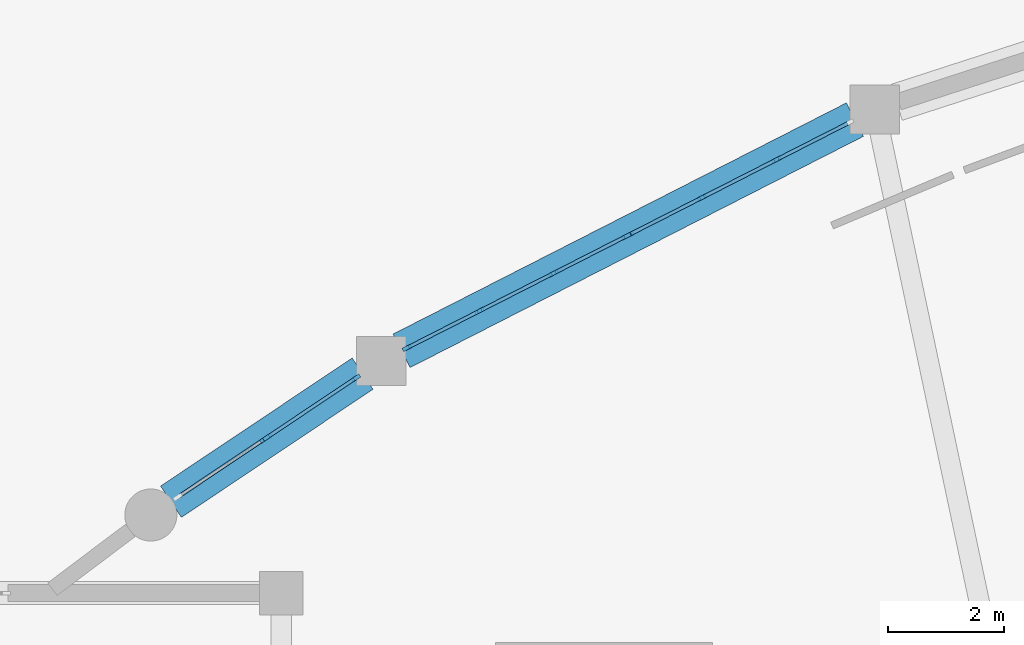
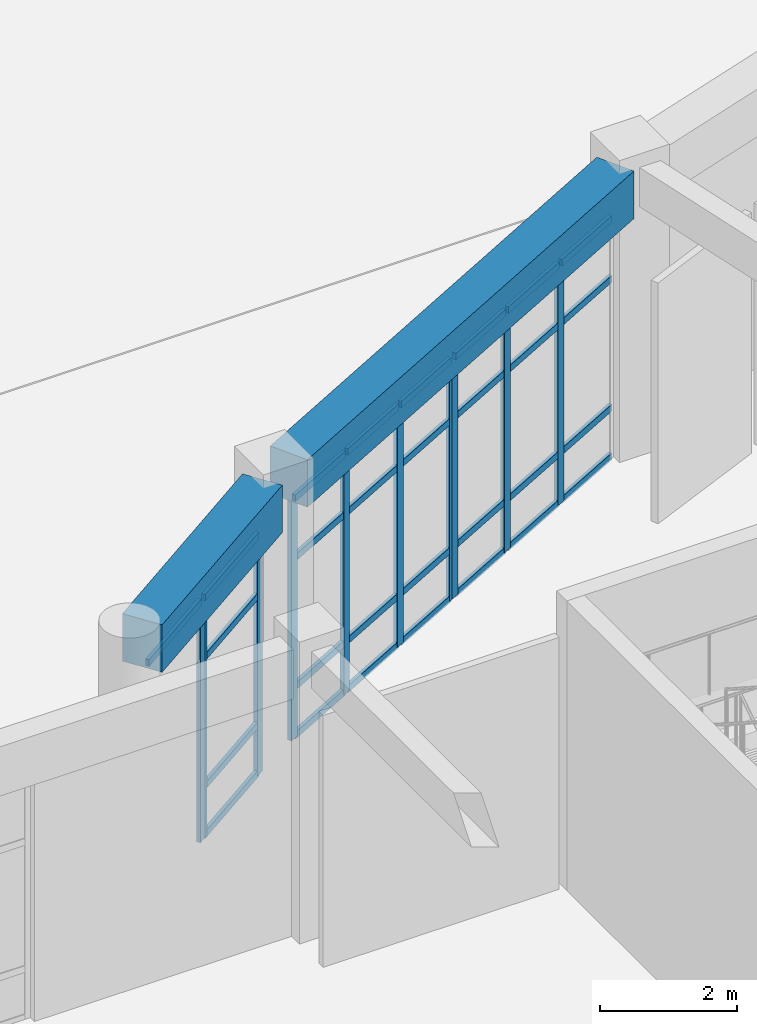
# One storey, part 12 of 70: 39 members, 2 beams, 4 elements without a shape of their own.
"""IFC4 building model written with IfcOpenShell, lengths in metres."""

from ifc_helpers import new_model, si_unit, direction, frame, origin, origin_2d, place, context, subcontext, project, spatial, rectangle, extrude, material, layer, layer_set, material_profile, profile_set, type_object, element, aggregate, save


model = new_model("IFC4")

# Units and contexts
model_context = context("Model", 3, precision=1e-05, world=origin(), true_north=direction((0.0, 1.0)))
body_context = subcontext(model_context, "Body", "Model", "MODEL_VIEW")
ifc_project = project(units=[si_unit("LENGTHUNIT", "METRE"), si_unit("AREAUNIT", "SQUARE_METRE"), si_unit("VOLUMEUNIT", "CUBIC_METRE"), si_unit("PLANEANGLEUNIT", "RADIAN"), si_unit("MASSUNIT", "GRAM", prefix="KILO")], contexts=[model_context])

# Site, building, storey
site_placement = place(None, origin())
site = spatial("IfcSite", under=ifc_project, at=site_placement, CompositionType="ELEMENT")
building_placement = place(site_placement, origin())
building = spatial("IfcBuilding", under=site, at=building_placement, Name="Miralva Faculty of Natural Sciences", CompositionType="ELEMENT")
storey_placement = place(building_placement, origin())
storey = spatial("IfcBuildingStorey", under=building, at=storey_placement, Name="L00", CompositionType="ELEMENT", Elevation=0.0)

# Beams
ifc_material_1 = material(Name="Concrete C40/50", Category="concrete")
ifc_material_profile_1 = material_profile(ifc_material_1, rectangle(XDim=0.64990234375, YDim=0.85009765625, at=origin_2d()), Name="RC 650x850")
ifc_profile_set_1 = profile_set([ifc_material_profile_1], Name="Concrete C40/50")
beam_type = type_object("IfcBeamType", Name="BM-SP03", PredefinedType="SPANDREL", material=ifc_profile_set_1)
beam_1_placement = place(storey_placement, frame((66.311767578125, 35.182373046875, 4.735107421875), z_axis=(-0.890845120113, -0.454307133965, 0.0), x_axis=(0.454307133965, -0.890845120113, 0.0)))
element("IfcBeam", 1, at=beam_1_placement, inside=storey, type_object=beam_type, Name="Curved chord girder SHOUT L00-8", PredefinedType="SPANDREL", context=body_context, shape_type="SweptSolid", body=[
    extrude(rectangle(XDim=0.64990234375, YDim=0.85009765625, at=origin_2d()), origin(), (0.0, 0.0, 1.0), 8.793212890625),
])
beam_2_placement = place(storey_placement, frame((57.804931640625, 30.792724609375, 4.735107421875), z_axis=(-0.831417795146, -0.555647775047, 0.0), x_axis=(0.555647775047, -0.831417795146, 0.0)))
element("IfcBeam", 2, at=beam_2_placement, inside=storey, type_object=beam_type, Name="Curved chord girder SHOUT L00-9", PredefinedType="SPANDREL", context=body_context, shape_type="SweptSolid", body=[
    extrude(rectangle(XDim=0.64990234375, YDim=0.85009765625, at=origin_2d()), origin(), (0.0, 0.0, 1.0), 3.982177734375),
])

# Curtain wall, member
ifc_material_2 = material(Name="Laminated solar-control glass", Category="glass")
ifc_layer = layer(ifc_material_2, 0.179931640625, Name="CW-ARC-L00")
ifc_layer_set = layer_set([ifc_layer], Name="Laminated solar-control glass")
curtain_wall_type = type_object("IfcCurtainWallType", Name="CW-ARC-L00", PredefinedType="USERDEFINED", material=ifc_layer_set)
curtain_wall_1_placement = place(storey_placement, origin())
curtain_wall_1 = element("IfcCurtainWall", 3, at=curtain_wall_1_placement, inside=storey, type_object=curtain_wall_type, Name="Curtain wall CW-01 L00-1", ObjectType="UNITISED CURTAIN WALL", PredefinedType="USERDEFINED")
ifc_material_3 = material(Name="Anodised aluminium", Category="aluminium")
ifc_material_profile_2 = material_profile(ifc_material_3, rectangle(XDim=0.06494140625, YDim=0.159912109375, at=origin_2d()), Name="MULLION 65x160")
ifc_profile_set_2 = profile_set([ifc_material_profile_2], Name="Anodised aluminium")
member_type_1 = type_object("IfcMemberType", Name="CW-M02", PredefinedType="MULLION", material=ifc_profile_set_2)
member_1_placement = place(storey_placement, frame((56.109375, 29.662353515625, 0.0), z_axis=(0.0, 0.0, 1.0), x_axis=(-0.555563826036, 0.831473893276, 0.0)))
member_1 = element("IfcMember", 4, at=member_1_placement, type_object=member_type_1, Name="CW-01 mullion 2", PredefinedType="MULLION", context=body_context, shape_type="SweptSolid", body=[
    extrude(rectangle(XDim=0.06494140625, YDim=0.159912109375, at=origin_2d()), origin(), (0.0, 0.0, 1.0), 4.304931640625),
])

# Curtain wall, members
curtain_wall_2_placement = place(storey_placement, origin())
curtain_wall_2 = element("IfcCurtainWall", 5, at=curtain_wall_2_placement, inside=storey, type_object=curtain_wall_type, Name="Curtain wall CW-01 L00-2", ObjectType="UNITISED CURTAIN WALL", PredefinedType="USERDEFINED")
member_2_placement = place(storey_placement, frame((56.1591796875, 29.69580078125, 0.0), z_axis=(0.0, 0.0, 1.0), x_axis=(-0.555560018644, 0.831476437239, 0.0)))
member_2 = element("IfcMember", 6, at=member_2_placement, type_object=member_type_1, Name="CW-01 mullion 1", PredefinedType="MULLION", context=body_context, shape_type="SweptSolid", body=[
    extrude(rectangle(XDim=0.06494140625, YDim=0.159912109375, at=origin_2d()), origin(), (0.0, 0.0, 1.0), 4.304931640625),
])
member_3_placement = place(storey_placement, frame((57.68896484375, 30.718017578125, 0.0), z_axis=(0.0, 0.0, 1.0), x_axis=(-0.555560018644, 0.831476437239, 0.0)))
member_3 = element("IfcMember", 7, at=member_3_placement, type_object=member_type_1, Name="CW-01 mullion 2", PredefinedType="MULLION", context=body_context, shape_type="SweptSolid", body=[
    extrude(rectangle(XDim=0.06494140625, YDim=0.159912109375, at=origin_2d()), origin(), (0.0, 0.0, 1.0), 4.304931640625),
])

curtain_wall_3_placement = place(storey_placement, origin())
curtain_wall_3 = element("IfcCurtainWall", 8, at=curtain_wall_3_placement, inside=storey, type_object=curtain_wall_type, Name="Curtain wall CW-01 L00-3", ObjectType="UNITISED CURTAIN WALL", PredefinedType="USERDEFINED")
member_4_placement = place(storey_placement, frame((58.57080078125, 31.237060546875, 0.0), z_axis=(0.0, 0.0, 1.0), x_axis=(-0.453995464015, 0.891003994746, 0.0)))
member_4 = element("IfcMember", 9, at=member_4_placement, type_object=member_type_1, Name="CW-01 mullion 1", PredefinedType="MULLION", context=body_context, shape_type="SweptSolid", body=[
    extrude(rectangle(XDim=0.06494140625, YDim=0.159912109375, at=origin_2d()), origin(), (0.0, 0.0, 1.0), 4.304931640625),
])
member_5_placement = place(storey_placement, frame((59.8251953125, 31.876220703125, 0.0), z_axis=(0.0, 0.0, 1.0), x_axis=(-0.453995464015, 0.891003994746, 0.0)))
member_5 = element("IfcMember", 10, at=member_5_placement, type_object=member_type_1, Name="CW-01 mullion 2", PredefinedType="MULLION", context=body_context, shape_type="SweptSolid", body=[
    extrude(rectangle(XDim=0.06494140625, YDim=0.159912109375, at=origin_2d()), origin(), (0.0, 0.0, 1.0), 4.304931640625),
])
member_6_placement = place(storey_placement, frame((61.108642578125, 32.530029296875, 0.0), z_axis=(0.0, 0.0, 1.0), x_axis=(-0.453995464015, 0.891003994746, 0.0)))
member_6 = element("IfcMember", 11, at=member_6_placement, type_object=member_type_1, Name="CW-01 mullion 3", PredefinedType="MULLION", context=body_context, shape_type="SweptSolid", body=[
    extrude(rectangle(XDim=0.06494140625, YDim=0.159912109375, at=origin_2d()), origin(), (0.0, 0.0, 1.0), 4.304931640625),
])
member_7_placement = place(storey_placement, frame((62.363037109375, 33.169189453125, 0.0), z_axis=(0.0, 0.0, 1.0), x_axis=(-0.453995464015, 0.891003994746, 0.0)))
member_7 = element("IfcMember", 12, at=member_7_placement, type_object=member_type_1, Name="CW-01 mullion 4", PredefinedType="MULLION", context=body_context, shape_type="SweptSolid", body=[
    extrude(rectangle(XDim=0.06494140625, YDim=0.159912109375, at=origin_2d()), origin(), (0.0, 0.0, 1.0), 4.304931640625),
])

curtain_wall_4_placement = place(storey_placement, origin())
curtain_wall_4 = element("IfcCurtainWall", 13, at=curtain_wall_4_placement, inside=storey, type_object=curtain_wall_type, Name="Curtain wall CW-01 L00-4", ObjectType="UNITISED CURTAIN WALL", PredefinedType="USERDEFINED")
member_8_placement = place(storey_placement, frame((62.416259765625, 33.1962890625, 0.0), z_axis=(0.0, 0.0, 1.0), x_axis=(-0.453969065637, 0.891017445084, 0.0)))
member_8 = element("IfcMember", 14, at=member_8_placement, type_object=member_type_1, Name="CW-01 mullion 1", PredefinedType="MULLION", context=body_context, shape_type="SweptSolid", body=[
    extrude(rectangle(XDim=0.06494140625, YDim=0.159912109375, at=origin_2d()), origin(), (0.0, 0.0, 1.0), 4.304931640625),
])
member_9_placement = place(storey_placement, frame((63.67236328125, 33.836181640625, 0.0), z_axis=(0.0, 0.0, 1.0), x_axis=(-0.453969065637, 0.891017445084, 0.0)))
member_9 = element("IfcMember", 15, at=member_9_placement, type_object=member_type_1, Name="CW-01 mullion 2", PredefinedType="MULLION", context=body_context, shape_type="SweptSolid", body=[
    extrude(rectangle(XDim=0.06494140625, YDim=0.159912109375, at=origin_2d()), origin(), (0.0, 0.0, 1.0), 4.304931640625),
])
member_10_placement = place(storey_placement, frame((64.95703125, 34.490966796875, 0.0), z_axis=(0.0, 0.0, 1.0), x_axis=(-0.453969065637, 0.891017445084, 0.0)))
member_10 = element("IfcMember", 16, at=member_10_placement, type_object=member_type_1, Name="CW-01 mullion 3", PredefinedType="MULLION", context=body_context, shape_type="SweptSolid", body=[
    extrude(rectangle(XDim=0.06494140625, YDim=0.159912109375, at=origin_2d()), origin(), (0.0, 0.0, 1.0), 4.304931640625),
])

# Member
ifc_material_profile_3 = material_profile(ifc_material_3, rectangle(XDim=0.06005859375, YDim=0.1201171875, at=origin_2d()), Name="TRANSOM 60x120")
ifc_profile_set_3 = profile_set([ifc_material_profile_3], Name="Anodised aluminium")
member_type_2 = type_object("IfcMemberType", Name="CW-T02", PredefinedType="USERDEFINED", material=ifc_profile_set_3)
member_11_placement = place(storey_placement, frame((54.6357421875, 28.677734375, 4.27490234375), z_axis=(0.8314669175, 0.555574266056, 0.0), x_axis=(-0.555574266056, 0.8314669175, 0.0)))
member_11 = element("IfcMember", 17, at=member_11_placement, type_object=member_type_2, Name="CW-01 transom 1.4", ObjectType="TRANSOM", PredefinedType="USERDEFINED", context=body_context, shape_type="SweptSolid", body=[
    extrude(rectangle(XDim=0.06005859375, YDim=0.1201171875, at=origin_2d()), origin(), (0.0, 0.0, 1.0), 1.73974609375),
])

aggregate(curtain_wall_1, [member_1, member_11])

member_12_placement = place(storey_placement, frame((56.18603515625, 29.7138671875, 0.030029296875), z_axis=(0.83147849915, 0.555556932683, 0.0), x_axis=(-0.555556932683, 0.83147849915, 0.0)))
member_12 = element("IfcMember", 18, at=member_12_placement, type_object=member_type_2, Name="CW-01 transom 1.1", ObjectType="TRANSOM", PredefinedType="USERDEFINED", context=body_context, shape_type="SweptSolid", body=[
    extrude(rectangle(XDim=0.06005859375, YDim=0.1201171875, at=origin_2d()), origin(), (0.0, 0.0, 1.0), 1.77490234375),
])

member_13_placement = place(storey_placement, frame((56.18603515625, 29.7138671875, 0.89990234375), z_axis=(0.83147849915, 0.555556932683, 0.0), x_axis=(-0.555556932683, 0.83147849915, 0.0)))
member_13 = element("IfcMember", 19, at=member_13_placement, type_object=member_type_2, Name="CW-01 transom 1.2", ObjectType="TRANSOM", PredefinedType="USERDEFINED", context=body_context, shape_type="SweptSolid", body=[
    extrude(rectangle(XDim=0.06005859375, YDim=0.1201171875, at=origin_2d()), origin(), (0.0, 0.0, 1.0), 1.77490234375),
])

member_14_placement = place(storey_placement, frame((56.18603515625, 29.7138671875, 3.205078125), z_axis=(0.83147849915, 0.555556932683, 0.0), x_axis=(-0.555556932683, 0.83147849915, 0.0)))
member_14 = element("IfcMember", 20, at=member_14_placement, type_object=member_type_2, Name="CW-01 transom 1.3", ObjectType="TRANSOM", PredefinedType="USERDEFINED", context=body_context, shape_type="SweptSolid", body=[
    extrude(rectangle(XDim=0.06005859375, YDim=0.1201171875, at=origin_2d()), origin(), (0.0, 0.0, 1.0), 1.77490234375),
])

member_15_placement = place(storey_placement, frame((56.18603515625, 29.7138671875, 4.27490234375), z_axis=(0.83147849915, 0.555556932683, 0.0), x_axis=(-0.555556932683, 0.83147849915, 0.0)))
member_15 = element("IfcMember", 21, at=member_15_placement, type_object=member_type_2, Name="CW-01 transom 1.4", ObjectType="TRANSOM", PredefinedType="USERDEFINED", context=body_context, shape_type="SweptSolid", body=[
    extrude(rectangle(XDim=0.06005859375, YDim=0.1201171875, at=origin_2d()), origin(), (0.0, 0.0, 1.0), 1.77490234375),
])

aggregate(curtain_wall_2, [member_2, member_3, member_12, member_13, member_14, member_15])

member_16_placement = place(storey_placement, frame((58.599853515625, 31.251708984375, 0.030029296875), z_axis=(0.891020072129, 0.453963909428, 0.0), x_axis=(-0.453963909428, 0.891020072129, 0.0)))
member_16 = element("IfcMember", 22, at=member_16_placement, type_object=member_type_2, Name="CW-01 transom 1.1", ObjectType="TRANSOM", PredefinedType="USERDEFINED", context=body_context, shape_type="SweptSolid", body=[
    extrude(rectangle(XDim=0.06005859375, YDim=0.1201171875, at=origin_2d()), origin(), (0.0, 0.0, 1.0), 1.3427734375),
])

member_17_placement = place(storey_placement, frame((58.599853515625, 31.251708984375, 0.89990234375), z_axis=(0.891020072129, 0.453963909428, 0.0), x_axis=(-0.453963909428, 0.891020072129, 0.0)))
member_17 = element("IfcMember", 23, at=member_17_placement, type_object=member_type_2, Name="CW-01 transom 1.2", ObjectType="TRANSOM", PredefinedType="USERDEFINED", context=body_context, shape_type="SweptSolid", body=[
    extrude(rectangle(XDim=0.06005859375, YDim=0.1201171875, at=origin_2d()), origin(), (0.0, 0.0, 1.0), 1.3427734375),
])

member_18_placement = place(storey_placement, frame((58.599853515625, 31.251708984375, 3.205078125), z_axis=(0.891020072129, 0.453963909428, 0.0), x_axis=(-0.453963909428, 0.891020072129, 0.0)))
member_18 = element("IfcMember", 24, at=member_18_placement, type_object=member_type_2, Name="CW-01 transom 1.3", ObjectType="TRANSOM", PredefinedType="USERDEFINED", context=body_context, shape_type="SweptSolid", body=[
    extrude(rectangle(XDim=0.06005859375, YDim=0.1201171875, at=origin_2d()), origin(), (0.0, 0.0, 1.0), 1.3427734375),
])

member_19_placement = place(storey_placement, frame((58.599853515625, 31.251708984375, 4.27490234375), z_axis=(0.891020072129, 0.453963909428, 0.0), x_axis=(-0.453963909428, 0.891020072129, 0.0)))
member_19 = element("IfcMember", 25, at=member_19_placement, type_object=member_type_2, Name="CW-01 transom 1.4", ObjectType="TRANSOM", PredefinedType="USERDEFINED", context=body_context, shape_type="SweptSolid", body=[
    extrude(rectangle(XDim=0.06005859375, YDim=0.1201171875, at=origin_2d()), origin(), (0.0, 0.0, 1.0), 1.3427734375),
])

member_20_placement = place(storey_placement, frame((59.854248046875, 31.890869140625, 0.030029296875), z_axis=(0.891028658075, 0.453947056923, 0.0), x_axis=(-0.453947056923, 0.891028658075, 0.0)))
member_20 = element("IfcMember", 26, at=member_20_placement, type_object=member_type_2, Name="CW-01 transom 2.1", ObjectType="TRANSOM", PredefinedType="USERDEFINED", context=body_context, shape_type="SweptSolid", body=[
    extrude(rectangle(XDim=0.06005859375, YDim=0.1201171875, at=origin_2d()), origin(), (0.0, 0.0, 1.0), 1.375244140625),
])

member_21_placement = place(storey_placement, frame((59.854248046875, 31.890869140625, 0.89990234375), z_axis=(0.891028658075, 0.453947056923, 0.0), x_axis=(-0.453947056923, 0.891028658075, 0.0)))
member_21 = element("IfcMember", 27, at=member_21_placement, type_object=member_type_2, Name="CW-01 transom 2.2", ObjectType="TRANSOM", PredefinedType="USERDEFINED", context=body_context, shape_type="SweptSolid", body=[
    extrude(rectangle(XDim=0.06005859375, YDim=0.1201171875, at=origin_2d()), origin(), (0.0, 0.0, 1.0), 1.375244140625),
])

member_22_placement = place(storey_placement, frame((59.854248046875, 31.890869140625, 3.205078125), z_axis=(0.891028658075, 0.453947056923, 0.0), x_axis=(-0.453947056923, 0.891028658075, 0.0)))
member_22 = element("IfcMember", 28, at=member_22_placement, type_object=member_type_2, Name="CW-01 transom 2.3", ObjectType="TRANSOM", PredefinedType="USERDEFINED", context=body_context, shape_type="SweptSolid", body=[
    extrude(rectangle(XDim=0.06005859375, YDim=0.1201171875, at=origin_2d()), origin(), (0.0, 0.0, 1.0), 1.375244140625),
])

member_23_placement = place(storey_placement, frame((59.854248046875, 31.890869140625, 4.27490234375), z_axis=(0.891028658075, 0.453947056923, 0.0), x_axis=(-0.453947056923, 0.891028658075, 0.0)))
member_23 = element("IfcMember", 29, at=member_23_placement, type_object=member_type_2, Name="CW-01 transom 2.4", ObjectType="TRANSOM", PredefinedType="USERDEFINED", context=body_context, shape_type="SweptSolid", body=[
    extrude(rectangle(XDim=0.06005859375, YDim=0.1201171875, at=origin_2d()), origin(), (0.0, 0.0, 1.0), 1.375244140625),
])

member_24_placement = place(storey_placement, frame((61.137451171875, 32.544677734375, 0.030029296875), z_axis=(0.891020072129, 0.453963909428, 0.0), x_axis=(-0.453963909428, 0.891020072129, 0.0)))
member_24 = element("IfcMember", 30, at=member_24_placement, type_object=member_type_2, Name="CW-01 transom 3.1", ObjectType="TRANSOM", PredefinedType="USERDEFINED", context=body_context, shape_type="SweptSolid", body=[
    extrude(rectangle(XDim=0.06005859375, YDim=0.1201171875, at=origin_2d()), origin(), (0.0, 0.0, 1.0), 1.3427734375),
])

member_25_placement = place(storey_placement, frame((61.137451171875, 32.544677734375, 0.89990234375), z_axis=(0.891020072129, 0.453963909428, 0.0), x_axis=(-0.453963909428, 0.891020072129, 0.0)))
member_25 = element("IfcMember", 31, at=member_25_placement, type_object=member_type_2, Name="CW-01 transom 3.2", ObjectType="TRANSOM", PredefinedType="USERDEFINED", context=body_context, shape_type="SweptSolid", body=[
    extrude(rectangle(XDim=0.06005859375, YDim=0.1201171875, at=origin_2d()), origin(), (0.0, 0.0, 1.0), 1.3427734375),
])

member_26_placement = place(storey_placement, frame((61.137451171875, 32.544677734375, 3.205078125), z_axis=(0.891020072129, 0.453963909428, 0.0), x_axis=(-0.453963909428, 0.891020072129, 0.0)))
member_26 = element("IfcMember", 32, at=member_26_placement, type_object=member_type_2, Name="CW-01 transom 3.3", ObjectType="TRANSOM", PredefinedType="USERDEFINED", context=body_context, shape_type="SweptSolid", body=[
    extrude(rectangle(XDim=0.06005859375, YDim=0.1201171875, at=origin_2d()), origin(), (0.0, 0.0, 1.0), 1.3427734375),
])

member_27_placement = place(storey_placement, frame((61.137451171875, 32.544677734375, 4.27490234375), z_axis=(0.891020072129, 0.453963909428, 0.0), x_axis=(-0.453963909428, 0.891020072129, 0.0)))
member_27 = element("IfcMember", 33, at=member_27_placement, type_object=member_type_2, Name="CW-01 transom 3.4", ObjectType="TRANSOM", PredefinedType="USERDEFINED", context=body_context, shape_type="SweptSolid", body=[
    extrude(rectangle(XDim=0.06005859375, YDim=0.1201171875, at=origin_2d()), origin(), (0.0, 0.0, 1.0), 1.3427734375),
])

aggregate(curtain_wall_3, [member_4, member_5, member_6, member_7, member_16, member_17, member_18, member_19, member_20, member_21, member_22, member_23, member_24, member_25, member_26, member_27])

member_28_placement = place(storey_placement, frame((62.4453125, 33.211181640625, 0.030029296875), z_axis=(0.891024253299, 0.45395570272, 0.0), x_axis=(-0.45395570272, 0.891024253299, 0.0)))
member_28 = element("IfcMember", 34, at=member_28_placement, type_object=member_type_2, Name="CW-01 transom 1.1", ObjectType="TRANSOM", PredefinedType="USERDEFINED", context=body_context, shape_type="SweptSolid", body=[
    extrude(rectangle(XDim=0.06005859375, YDim=0.1201171875, at=origin_2d()), origin(), (0.0, 0.0, 1.0), 1.344482421875),
])

member_29_placement = place(storey_placement, frame((62.4453125, 33.211181640625, 0.89990234375), z_axis=(0.891024253299, 0.45395570272, 0.0), x_axis=(-0.45395570272, 0.891024253299, 0.0)))
member_29 = element("IfcMember", 35, at=member_29_placement, type_object=member_type_2, Name="CW-01 transom 1.2", ObjectType="TRANSOM", PredefinedType="USERDEFINED", context=body_context, shape_type="SweptSolid", body=[
    extrude(rectangle(XDim=0.06005859375, YDim=0.1201171875, at=origin_2d()), origin(), (0.0, 0.0, 1.0), 1.344482421875),
])

member_30_placement = place(storey_placement, frame((62.4453125, 33.211181640625, 3.205078125), z_axis=(0.891024253299, 0.45395570272, 0.0), x_axis=(-0.45395570272, 0.891024253299, 0.0)))
member_30 = element("IfcMember", 36, at=member_30_placement, type_object=member_type_2, Name="CW-01 transom 1.3", ObjectType="TRANSOM", PredefinedType="USERDEFINED", context=body_context, shape_type="SweptSolid", body=[
    extrude(rectangle(XDim=0.06005859375, YDim=0.1201171875, at=origin_2d()), origin(), (0.0, 0.0, 1.0), 1.344482421875),
])

member_31_placement = place(storey_placement, frame((62.4453125, 33.211181640625, 4.27490234375), z_axis=(0.891024253299, 0.45395570272, 0.0), x_axis=(-0.45395570272, 0.891024253299, 0.0)))
member_31 = element("IfcMember", 37, at=member_31_placement, type_object=member_type_2, Name="CW-01 transom 1.4", ObjectType="TRANSOM", PredefinedType="USERDEFINED", context=body_context, shape_type="SweptSolid", body=[
    extrude(rectangle(XDim=0.06005859375, YDim=0.1201171875, at=origin_2d()), origin(), (0.0, 0.0, 1.0), 1.344482421875),
])

member_32_placement = place(storey_placement, frame((63.701171875, 33.85107421875, 0.030029296875), z_axis=(0.891069260746, 0.453867351275, 0.0), x_axis=(-0.453867351275, 0.891069260746, 0.0)))
member_32 = element("IfcMember", 38, at=member_32_placement, type_object=member_type_2, Name="CW-01 transom 2.1", ObjectType="TRANSOM", PredefinedType="USERDEFINED", context=body_context, shape_type="SweptSolid", body=[
    extrude(rectangle(XDim=0.06005859375, YDim=0.1201171875, at=origin_2d()), origin(), (0.0, 0.0, 1.0), 1.376953125),
])

member_33_placement = place(storey_placement, frame((63.701171875, 33.85107421875, 0.89990234375), z_axis=(0.891069260746, 0.453867351275, 0.0), x_axis=(-0.453867351275, 0.891069260746, 0.0)))
member_33 = element("IfcMember", 39, at=member_33_placement, type_object=member_type_2, Name="CW-01 transom 2.2", ObjectType="TRANSOM", PredefinedType="USERDEFINED", context=body_context, shape_type="SweptSolid", body=[
    extrude(rectangle(XDim=0.06005859375, YDim=0.1201171875, at=origin_2d()), origin(), (0.0, 0.0, 1.0), 1.376953125),
])

member_34_placement = place(storey_placement, frame((63.701171875, 33.85107421875, 3.205078125), z_axis=(0.891069260746, 0.453867351275, 0.0), x_axis=(-0.453867351275, 0.891069260746, 0.0)))
member_34 = element("IfcMember", 40, at=member_34_placement, type_object=member_type_2, Name="CW-01 transom 2.3", ObjectType="TRANSOM", PredefinedType="USERDEFINED", context=body_context, shape_type="SweptSolid", body=[
    extrude(rectangle(XDim=0.06005859375, YDim=0.1201171875, at=origin_2d()), origin(), (0.0, 0.0, 1.0), 1.376953125),
])

member_35_placement = place(storey_placement, frame((63.701171875, 33.85107421875, 4.27490234375), z_axis=(0.891069260746, 0.453867351275, 0.0), x_axis=(-0.453867351275, 0.891069260746, 0.0)))
member_35 = element("IfcMember", 41, at=member_35_placement, type_object=member_type_2, Name="CW-01 transom 2.4", ObjectType="TRANSOM", PredefinedType="USERDEFINED", context=body_context, shape_type="SweptSolid", body=[
    extrude(rectangle(XDim=0.06005859375, YDim=0.1201171875, at=origin_2d()), origin(), (0.0, 0.0, 1.0), 1.376953125),
])

member_36_placement = place(storey_placement, frame((64.986083984375, 34.505615234375, 0.030029296875), z_axis=(0.891024253299, 0.45395570272, 0.0), x_axis=(-0.45395570272, 0.891024253299, 0.0)))
member_36 = element("IfcMember", 42, at=member_36_placement, type_object=member_type_2, Name="CW-01 transom 3.1", ObjectType="TRANSOM", PredefinedType="USERDEFINED", context=body_context, shape_type="SweptSolid", body=[
    extrude(rectangle(XDim=0.06005859375, YDim=0.1201171875, at=origin_2d()), origin(), (0.0, 0.0, 1.0), 1.344482421875),
])

member_37_placement = place(storey_placement, frame((64.986083984375, 34.505615234375, 0.89990234375), z_axis=(0.891024253299, 0.45395570272, 0.0), x_axis=(-0.45395570272, 0.891024253299, 0.0)))
member_37 = element("IfcMember", 43, at=member_37_placement, type_object=member_type_2, Name="CW-01 transom 3.2", ObjectType="TRANSOM", PredefinedType="USERDEFINED", context=body_context, shape_type="SweptSolid", body=[
    extrude(rectangle(XDim=0.06005859375, YDim=0.1201171875, at=origin_2d()), origin(), (0.0, 0.0, 1.0), 1.344482421875),
])

member_38_placement = place(storey_placement, frame((64.986083984375, 34.505615234375, 3.205078125), z_axis=(0.891024253299, 0.45395570272, 0.0), x_axis=(-0.45395570272, 0.891024253299, 0.0)))
member_38 = element("IfcMember", 44, at=member_38_placement, type_object=member_type_2, Name="CW-01 transom 3.3", ObjectType="TRANSOM", PredefinedType="USERDEFINED", context=body_context, shape_type="SweptSolid", body=[
    extrude(rectangle(XDim=0.06005859375, YDim=0.1201171875, at=origin_2d()), origin(), (0.0, 0.0, 1.0), 1.344482421875),
])

member_39_placement = place(storey_placement, frame((64.986083984375, 34.505615234375, 4.27490234375), z_axis=(0.891024253299, 0.45395570272, 0.0), x_axis=(-0.45395570272, 0.891024253299, 0.0)))
member_39 = element("IfcMember", 45, at=member_39_placement, type_object=member_type_2, Name="CW-01 transom 3.4", ObjectType="TRANSOM", PredefinedType="USERDEFINED", context=body_context, shape_type="SweptSolid", body=[
    extrude(rectangle(XDim=0.06005859375, YDim=0.1201171875, at=origin_2d()), origin(), (0.0, 0.0, 1.0), 1.344482421875),
])

aggregate(curtain_wall_4, [member_8, member_9, member_10, member_28, member_29, member_30, member_31, member_32, member_33, member_34, member_35, member_36, member_37, member_38, member_39])

save(model, "model.ifc")
